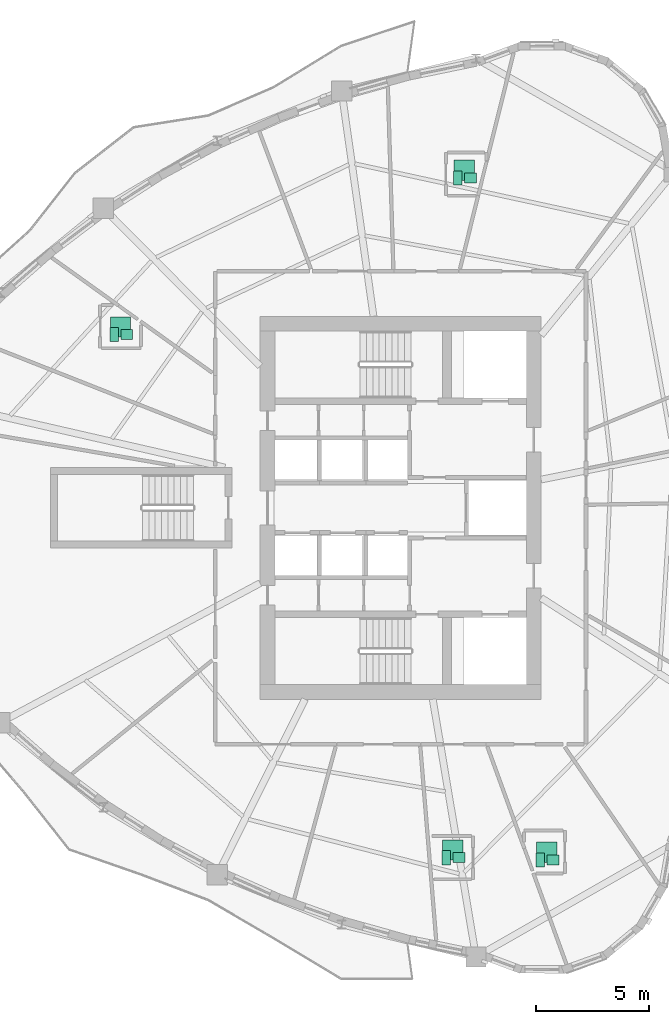
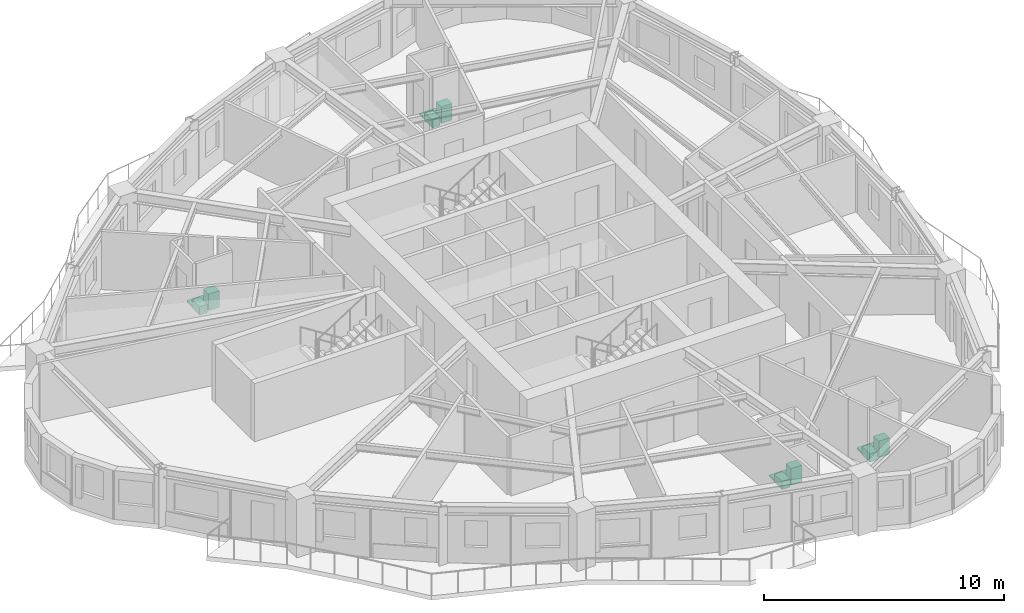
# One storey, part 12 of 12: 12 sanitary terminals.
"""IFC4 building model written with IfcOpenShell, lengths in metres."""

from ifc_helpers import new_model, si_unit, direction, frame, origin, origin_2d, place, context, subcontext, project, spatial, rectangle, extrude, source, transform, mapped, material, type_object, element, save


model = new_model("IFC4")

# Units and contexts
model_context = context("Model", 3, precision=1e-05, world=origin(), true_north=direction((0.0, 1.0)))
body_context = subcontext(model_context, "Body", "Model", "MODEL_VIEW")
ifc_project = project(units=[si_unit("LENGTHUNIT", "METRE"), si_unit("AREAUNIT", "SQUARE_METRE"), si_unit("VOLUMEUNIT", "CUBIC_METRE"), si_unit("PLANEANGLEUNIT", "RADIAN"), si_unit("MASSUNIT", "GRAM", prefix="KILO")], contexts=[model_context])

# Site, building, storey
site_placement = place(None, origin())
site = spatial("IfcSite", under=ifc_project, at=site_placement, CompositionType="ELEMENT")
building_placement = place(site_placement, origin())
building = spatial("IfcBuilding", under=site, at=building_placement, Name="Qafzar Sky-Pleat Residences", CompositionType="ELEMENT")
storey_placement = place(building_placement, frame((0.0, 0.0, 121.60009765625)))
storey = spatial("IfcBuildingStorey", under=building, at=storey_placement, Name="L36", CompositionType="ELEMENT", Elevation=121.60009765625)

# Sanitary terminals
ifc_material_1 = material(Name="Vitreous china sanitaryware")
sanitary_terminal_type_1 = type_object("IfcSanitaryTerminalType", Name="SAN-WC-PAN", PredefinedType="TOILETPAN", material=ifc_material_1)
shared_shape_1 = source(origin(), body_context, "Body", "SweptSolid", [
    extrude(rectangle(XDim=0.3798828125, YDim=0.6201171875, at=origin_2d()), origin(), (0.0, 0.0, 1.0), 0.419921875),
])
for number, where, z_axis, x_axis, name in (
    (1, (32.874755859375, 40.549072265625, 0.0), (0.0, 0.0, 1.0), (1.0, 0.0, 0.0), "L36 En-suite Bathroom 1 WC Pan"),
    (2, (17.708984375, 33.635986328125, 0.0), (0.0, 0.0, 1.0), (1.0, 0.0, 0.0), "L36 En-suite Bathroom 2 WC Pan"),
    (3, (32.363037109375, 10.55810546875, 0.0), (0.0, 0.0, 1.0), (1.0, 0.0, 0.0), "L36 En-suite Bathroom 3 WC Pan"),
    (4, (36.517333984375, 10.456298828125, 0.0), (0.0, 0.0, 1.0), (1.0, 0.0, 0.0), "L36 En-suite Bathroom 4 WC Pan"),
):
    element("IfcSanitaryTerminal", number, at=place(storey_placement, frame(where, z_axis=z_axis, x_axis=x_axis)), inside=storey, type_object=sanitary_terminal_type_1, Name=name, PredefinedType="TOILETPAN", context=body_context, shape_type="MappedRepresentation", body=[
        mapped(shared_shape_1, transform((0.0, 0.0, 0.0), x_axis=(1.0, 0.0, 0.0), y_axis=(0.0, 1.0, 0.0), z_axis=(0.0, 0.0, 1.0), scale=1.0)),
    ])
sanitary_terminal_type_2 = type_object("IfcSanitaryTerminalType", Name="SAN-BASIN", PredefinedType="WASHHANDBASIN", material=ifc_material_1)
shared_shape_2 = source(origin(), body_context, "Body", "SweptSolid", [
    extrude(rectangle(XDim=0.52001953125, YDim=0.43994140625, at=origin_2d()), origin(), (0.0, 0.0, 1.0), 0.840087890625),
])
for number, where, z_axis, x_axis, name in (
    (5, (33.434814453125, 40.549072265625, 0.0), (0.0, 0.0, 1.0), (1.0, 0.0, 0.0), "L36 En-suite Bathroom 1 Pedestal Washbasin"),
    (6, (18.26904296875, 33.635986328125, 0.0), (0.0, 0.0, 1.0), (1.0, 0.0, 0.0), "L36 En-suite Bathroom 2 Pedestal Washbasin"),
    (7, (32.923095703125, 10.55810546875, 0.0), (0.0, 0.0, 1.0), (1.0, 0.0, 0.0), "L36 En-suite Bathroom 3 Pedestal Washbasin"),
    (8, (37.077392578125, 10.456298828125, 0.0), (0.0, 0.0, 1.0), (1.0, 0.0, 0.0), "L36 En-suite Bathroom 4 Pedestal Washbasin"),
):
    element("IfcSanitaryTerminal", number, at=place(storey_placement, frame(where, z_axis=z_axis, x_axis=x_axis)), inside=storey, type_object=sanitary_terminal_type_2, Name=name, PredefinedType="WASHHANDBASIN", context=body_context, shape_type="MappedRepresentation", body=[
        mapped(shared_shape_2, transform((0.0, 0.0, 0.0), x_axis=(1.0, 0.0, 0.0), y_axis=(0.0, 1.0, 0.0), z_axis=(0.0, 0.0, 1.0), scale=1.0)),
    ])
ifc_material_2 = material(Name="Vitreous china and acrylic tray")
sanitary_terminal_type_3 = type_object("IfcSanitaryTerminalType", Name="SAN-SHOWER", PredefinedType="SHOWER", material=ifc_material_2)
shared_shape_3 = source(origin(), body_context, "Body", "SweptSolid", [
    extrude(rectangle(XDim=0.89990234375, YDim=0.89990234375, at=origin_2d()), origin(), (0.0, 0.0, 1.0), 0.080078125),
])
for number, where, z_axis, x_axis, name in (
    (9, (33.15478515625, 40.888916015625, -0.000244140625), (0.0, 0.0, 1.0), (1.0, 0.0, 0.0), "L36 En-suite Bathroom 1 Walk-In Shower"),
    (10, (17.989013671875, 33.97607421875, -0.000244140625), (0.0, 0.0, 1.0), (1.0, 0.0, 0.0), "L36 En-suite Bathroom 2 Walk-In Shower"),
    (11, (32.64306640625, 10.89794921875, -0.000244140625), (0.0, 0.0, 1.0), (1.0, 0.0, 0.0), "L36 En-suite Bathroom 3 Walk-In Shower"),
    (12, (36.79736328125, 10.796142578125, -0.000244140625), (0.0, 0.0, 1.0), (1.0, 0.0, 0.0), "L36 En-suite Bathroom 4 Walk-In Shower"),
):
    element("IfcSanitaryTerminal", number, at=place(storey_placement, frame(where, z_axis=z_axis, x_axis=x_axis)), inside=storey, type_object=sanitary_terminal_type_3, Name=name, PredefinedType="SHOWER", context=body_context, shape_type="MappedRepresentation", body=[
        mapped(shared_shape_3, transform((0.0, 0.0, 0.0), x_axis=(1.0, 0.0, 0.0), y_axis=(0.0, 1.0, 0.0), z_axis=(0.0, 0.0, 1.0), scale=1.0)),
    ])

save(model, "model.ifc")
